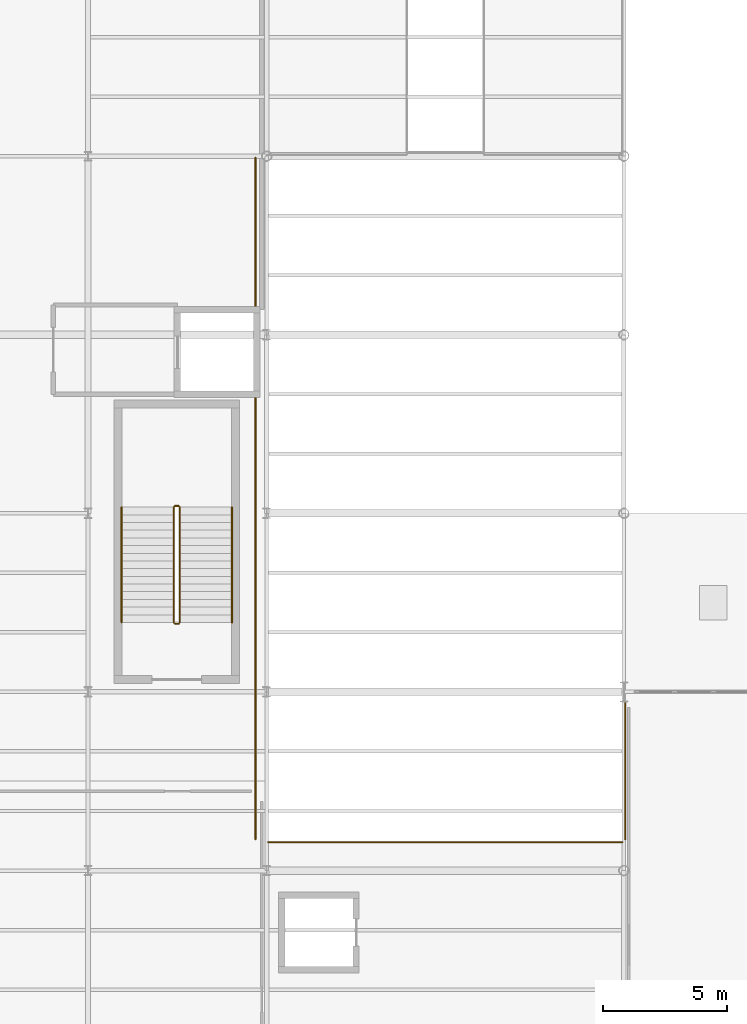
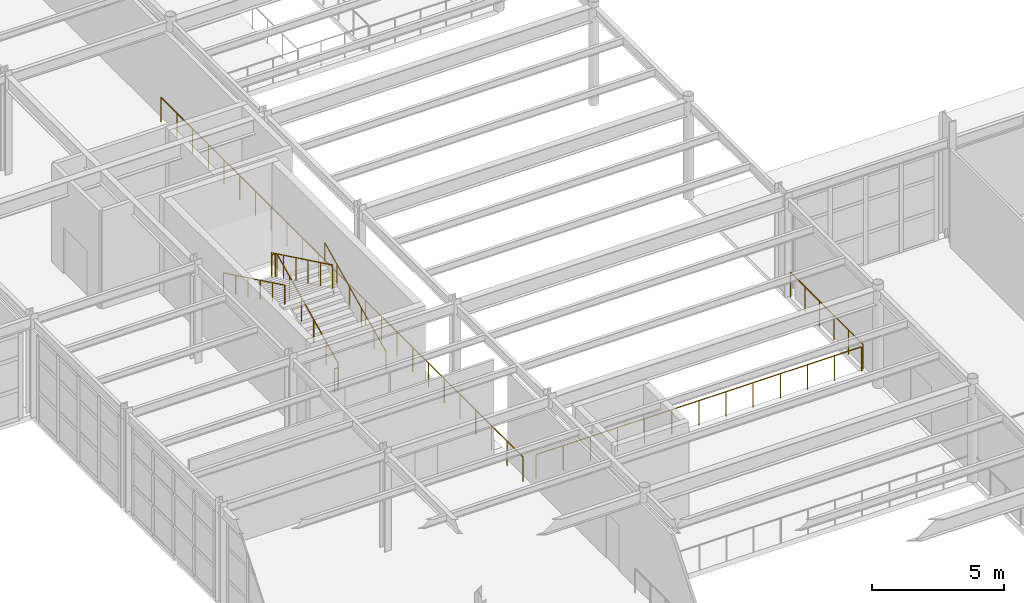
# One storey, part 121 of 126: 9 railings.
"""IFC4 building model written with IfcOpenShell, lengths in metres."""

from ifc_helpers import new_model, si_unit, direction, frame, origin, origin_2d, place, context, subcontext, project, spatial, circle, extrude, material, type_object, element, save


model = new_model("IFC4")

# Units and contexts
model_context = context("Model", 3, precision=1e-05, world=origin(), true_north=direction((0.0, 1.0)))
body_context = subcontext(model_context, "Body", "Model", "MODEL_VIEW")
ifc_project = project(units=[si_unit("LENGTHUNIT", "METRE"), si_unit("AREAUNIT", "SQUARE_METRE"), si_unit("VOLUMEUNIT", "CUBIC_METRE"), si_unit("PLANEANGLEUNIT", "RADIAN"), si_unit("MASSUNIT", "GRAM", prefix="KILO")], contexts=[model_context])

# Site, building, storey
site_placement = place(None, origin())
site = spatial("IfcSite", under=ifc_project, at=site_placement, CompositionType="ELEMENT")
building_placement = place(site_placement, origin())
building = spatial("IfcBuilding", under=site, at=building_placement, Name="Solvadek Multi-Sports Hall", CompositionType="ELEMENT")
storey_placement = place(building_placement, frame((0.0, 0.0, 9.60009765625)))
storey = spatial("IfcBuildingStorey", under=building, at=storey_placement, Name="L02", CompositionType="ELEMENT", Elevation=9.60009765625)

# Railings
ifc_material = material(Name="Steel E250 (250 MPa)", Category="steel")
railing_type_1 = type_object("IfcRailingType", Name="INT-RAL-GRD115", PredefinedType="BALUSTRADE", material=ifc_material)
railing_1_placement = place(storey_placement, frame((68.5, 44.800048828125, 0.14990234375)))
element("IfcRailing", 1, at=railing_1_placement, inside=storey, type_object=railing_type_1, Name="L02 ST-04 stair guard 1", PredefinedType="BALUSTRADE", context=body_context, shape_type="SweptSolid", body=[
    extrude(circle(Radius=0.02392578125, at=origin_2d()), frame((0.0, 0.0, 1.076171875), z_axis=(0.0, 0.900155664878, 0.435568340204), x_axis=(-1.0, 0.0, 0.0)), (0.0, 0.0, 1.0), 5.165771484375),
    extrude(circle(Radius=0.02099609375, at=origin_2d()), origin(), (0.0, 0.0, 1.0), 1.052001953125),
    extrude(circle(Radius=0.02099609375, at=origin_2d()), frame((0.0, 0.929931640625, 0.449951171875)), (0.0, 0.0, 1.0), 1.052001953125),
    extrude(circle(Radius=0.02099609375, at=origin_2d()), frame((0.0, 1.85986328125, 0.89990234375)), (0.0, 0.0, 1.0), 1.052001953125),
    extrude(circle(Radius=0.02099609375, at=origin_2d()), frame((0.0, 2.7900390625, 1.35009765625)), (0.0, 0.0, 1.0), 1.052001953125),
    extrude(circle(Radius=0.02099609375, at=origin_2d()), frame((0.0, 3.719970703125, 1.800048828125)), (0.0, 0.0, 1.0), 1.052001953125),
    extrude(circle(Radius=0.02099609375, at=origin_2d()), frame((0.0, 4.64990234375, 2.25)), (0.0, 0.0, 1.0), 1.052001953125),
])
railing_2_placement = place(storey_placement, frame((68.449951171875, 49.5, 2.39990234375)))
element("IfcRailing", 2, at=railing_2_placement, inside=storey, type_object=railing_type_1, Name="L02 ST-04 stair guard 2", PredefinedType="BALUSTRADE", context=body_context, shape_type="SweptSolid", body=[
    extrude(circle(Radius=0.02392578125, at=origin_2d()), frame((0.0, 0.0, 1.076171875), z_axis=(-1.0, 0.0, 0.0), x_axis=(0.0, -1.0, 0.0)), (0.0, 0.0, 1.0), 0.14990234375),
    extrude(circle(Radius=0.02099609375, at=origin_2d()), origin(), (0.0, 0.0, 1.0), 1.052001953125),
    extrude(circle(Radius=0.02099609375, at=origin_2d()), frame((-0.14990234375, 0.0, 0.0)), (0.0, 0.0, 1.0), 1.052001953125),
])
railing_3_placement = place(storey_placement, frame((68.25, 49.449951171875, 2.5498046875)))
element("IfcRailing", 3, at=railing_3_placement, inside=storey, type_object=railing_type_1, Name="L02 ST-04 stair guard 3", PredefinedType="BALUSTRADE", context=body_context, shape_type="SweptSolid", body=[
    extrude(circle(Radius=0.02392578125, at=origin_2d()), frame((0.0, 0.0, 1.076171875), z_axis=(0.0, -0.900155664878, 0.435568340204), x_axis=(1.0, 0.0, 0.0)), (0.0, 0.0, 1.0), 5.165771484375),
    extrude(circle(Radius=0.02099609375, at=origin_2d()), origin(), (0.0, 0.0, 1.0), 1.052001953125),
    extrude(circle(Radius=0.02099609375, at=origin_2d()), frame((0.0, -0.929931640625, 0.449951171875)), (0.0, 0.0, 1.0), 1.052001953125),
    extrude(circle(Radius=0.02099609375, at=origin_2d()), frame((0.0, -1.85986328125, 0.89990234375)), (0.0, 0.0, 1.0), 1.052001953125),
    extrude(circle(Radius=0.02099609375, at=origin_2d()), frame((0.0, -2.7900390625, 1.35009765625)), (0.0, 0.0, 1.0), 1.052001953125),
    extrude(circle(Radius=0.02099609375, at=origin_2d()), frame((0.0, -3.719970703125, 1.800048828125)), (0.0, 0.0, 1.0), 1.052001953125),
    extrude(circle(Radius=0.02099609375, at=origin_2d()), frame((0.0, -4.64990234375, 2.25)), (0.0, 0.0, 1.0), 1.052001953125),
])
railing_4_placement = place(storey_placement, frame((68.449951171875, 44.75, 0.0)))
element("IfcRailing", 4, at=railing_4_placement, inside=storey, type_object=railing_type_1, Name="L02 ST-04 stair guard 4", PredefinedType="BALUSTRADE", context=body_context, shape_type="SweptSolid", body=[
    extrude(circle(Radius=0.02392578125, at=origin_2d()), frame((0.0, 0.0, 1.076171875), z_axis=(-1.0, 0.0, 0.0), x_axis=(0.0, -1.0, 0.0)), (0.0, 0.0, 1.0), 0.14990234375),
    extrude(circle(Radius=0.02099609375, at=origin_2d()), origin(), (0.0, 0.0, 1.0), 1.052001953125),
    extrude(circle(Radius=0.02099609375, at=origin_2d()), frame((-0.14990234375, 0.0, 0.0)), (0.0, 0.0, 1.0), 1.052001953125),
])
railing_5_placement = place(storey_placement, frame((71.550048828125, 36.06005859375, 0.0)))
element("IfcRailing", 5, at=railing_5_placement, inside=storey, type_object=railing_type_1, Name="L02 Void Edge Balustrade Guard #18", PredefinedType="BALUSTRADE", context=body_context, shape_type="SweptSolid", body=[
    extrude(circle(Radius=0.02392578125, at=origin_2d()), frame((0.0, 0.0, 1.1259765625), z_axis=(0.0, 1.0, 0.0), x_axis=(-1.0, 0.0, 0.0)), (0.0, 0.0, 1.0), 27.47998046875),
    extrude(circle(Radius=0.02099609375, at=origin_2d()), origin(), (0.0, 0.0, 1.0), 1.101806640625),
    extrude(circle(Radius=0.02099609375, at=origin_2d()), frame((0.0, 1.19482421875, 0.0)), (0.0, 0.0, 1.0), 1.101806640625),
    extrude(circle(Radius=0.02099609375, at=origin_2d()), frame((0.0, 2.3896484375, 0.0)), (0.0, 0.0, 1.0), 1.101806640625),
    extrude(circle(Radius=0.02099609375, at=origin_2d()), frame((0.0, 3.584228515625, 0.0)), (0.0, 0.0, 1.0), 1.101806640625),
    extrude(circle(Radius=0.02099609375, at=origin_2d()), frame((0.0, 4.779052734375, 0.0)), (0.0, 0.0, 1.0), 1.101806640625),
    extrude(circle(Radius=0.02099609375, at=origin_2d()), frame((0.0, 5.973876953125, 0.0)), (0.0, 0.0, 1.0), 1.101806640625),
    extrude(circle(Radius=0.02099609375, at=origin_2d()), frame((0.0, 7.168701171875, 0.0)), (0.0, 0.0, 1.0), 1.101806640625),
    extrude(circle(Radius=0.02099609375, at=origin_2d()), frame((0.0, 8.363525390625, 0.0)), (0.0, 0.0, 1.0), 1.101806640625),
    extrude(circle(Radius=0.02099609375, at=origin_2d()), frame((0.0, 9.558349609375, 0.0)), (0.0, 0.0, 1.0), 1.101806640625),
    extrude(circle(Radius=0.02099609375, at=origin_2d()), frame((0.0, 10.7529296875, 0.0)), (0.0, 0.0, 1.0), 1.101806640625),
    extrude(circle(Radius=0.02099609375, at=origin_2d()), frame((0.0, 11.94775390625, 0.0)), (0.0, 0.0, 1.0), 1.101806640625),
    extrude(circle(Radius=0.02099609375, at=origin_2d()), frame((0.0, 13.142578125, 0.0)), (0.0, 0.0, 1.0), 1.101806640625),
    extrude(circle(Radius=0.02099609375, at=origin_2d()), frame((0.0, 14.33740234375, 0.0)), (0.0, 0.0, 1.0), 1.101806640625),
    extrude(circle(Radius=0.02099609375, at=origin_2d()), frame((0.0, 15.5322265625, 0.0)), (0.0, 0.0, 1.0), 1.101806640625),
    extrude(circle(Radius=0.02099609375, at=origin_2d()), frame((0.0, 16.72705078125, 0.0)), (0.0, 0.0, 1.0), 1.101806640625),
    extrude(circle(Radius=0.02099609375, at=origin_2d()), frame((0.0, 17.921630859375, 0.0)), (0.0, 0.0, 1.0), 1.101806640625),
    extrude(circle(Radius=0.02099609375, at=origin_2d()), frame((0.0, 19.116455078125, 0.0)), (0.0, 0.0, 1.0), 1.101806640625),
    extrude(circle(Radius=0.02099609375, at=origin_2d()), frame((0.0, 20.311279296875, 0.0)), (0.0, 0.0, 1.0), 1.101806640625),
    extrude(circle(Radius=0.02099609375, at=origin_2d()), frame((0.0, 21.506103515625, 0.0)), (0.0, 0.0, 1.0), 1.101806640625),
    extrude(circle(Radius=0.02099609375, at=origin_2d()), frame((0.0, 22.700927734375, 0.0)), (0.0, 0.0, 1.0), 1.101806640625),
    extrude(circle(Radius=0.02099609375, at=origin_2d()), frame((0.0, 23.895751953125, 0.0)), (0.0, 0.0, 1.0), 1.101806640625),
    extrude(circle(Radius=0.02099609375, at=origin_2d()), frame((0.0, 25.09033203125, 0.0)), (0.0, 0.0, 1.0), 1.101806640625),
    extrude(circle(Radius=0.02099609375, at=origin_2d()), frame((0.0, 26.28515625, 0.0)), (0.0, 0.0, 1.0), 1.101806640625),
    extrude(circle(Radius=0.02099609375, at=origin_2d()), frame((0.0, 27.47998046875, 0.0)), (0.0, 0.0, 1.0), 1.101806640625),
])
railing_6_placement = place(storey_placement, frame((86.4599609375, 36.06005859375, 0.0)))
element("IfcRailing", 6, at=railing_6_placement, inside=storey, type_object=railing_type_1, Name="L02 Void Edge Balustrade Guard #21", PredefinedType="BALUSTRADE", context=body_context, shape_type="SweptSolid", body=[
    extrude(circle(Radius=0.02392578125, at=origin_2d()), frame((0.0, 0.0, 1.1259765625), z_axis=(0.0, 1.0, 0.0), x_axis=(-1.0, 0.0, 0.0)), (0.0, 0.0, 1.0), 5.489990234375),
    extrude(circle(Radius=0.02099609375, at=origin_2d()), origin(), (0.0, 0.0, 1.0), 1.101806640625),
    extrude(circle(Radius=0.02099609375, at=origin_2d()), frame((0.0, 1.097900390625, 0.0)), (0.0, 0.0, 1.0), 1.101806640625),
    extrude(circle(Radius=0.02099609375, at=origin_2d()), frame((0.0, 2.196044921875, 0.0)), (0.0, 0.0, 1.0), 1.101806640625),
    extrude(circle(Radius=0.02099609375, at=origin_2d()), frame((0.0, 3.2939453125, 0.0)), (0.0, 0.0, 1.0), 1.101806640625),
    extrude(circle(Radius=0.02099609375, at=origin_2d()), frame((0.0, 4.39208984375, 0.0)), (0.0, 0.0, 1.0), 1.101806640625),
    extrude(circle(Radius=0.02099609375, at=origin_2d()), frame((0.0, 5.489990234375, 0.0)), (0.0, 0.0, 1.0), 1.101806640625),
])
railing_7_placement = place(storey_placement, frame((72.06005859375, 35.93994140625, 0.0)))
element("IfcRailing", 7, at=railing_7_placement, inside=storey, type_object=railing_type_1, Name="L02 Void Edge Balustrade Guard #59", PredefinedType="BALUSTRADE", context=body_context, shape_type="SweptSolid", body=[
    extrude(circle(Radius=0.02392578125, at=origin_2d()), frame((0.0, 0.0, 1.1259765625), z_axis=(1.0, 0.0, 0.0), x_axis=(0.0, 1.0, 0.0)), (0.0, 0.0, 1.0), 14.280029296875),
    extrude(circle(Radius=0.02099609375, at=origin_2d()), origin(), (0.0, 0.0, 1.0), 1.101806640625),
    extrude(circle(Radius=0.02099609375, at=origin_2d()), frame((1.18994140625, 0.0, 0.0)), (0.0, 0.0, 1.0), 1.101806640625),
    extrude(circle(Radius=0.02099609375, at=origin_2d()), frame((2.3798828125, 0.0, 0.0)), (0.0, 0.0, 1.0), 1.101806640625),
    extrude(circle(Radius=0.02099609375, at=origin_2d()), frame((3.570068359375, 0.0, 0.0)), (0.0, 0.0, 1.0), 1.101806640625),
    extrude(circle(Radius=0.02099609375, at=origin_2d()), frame((4.760009765625, 0.0, 0.0)), (0.0, 0.0, 1.0), 1.101806640625),
    extrude(circle(Radius=0.02099609375, at=origin_2d()), frame((5.949951171875, 0.0, 0.0)), (0.0, 0.0, 1.0), 1.101806640625),
    extrude(circle(Radius=0.02099609375, at=origin_2d()), frame((7.14013671875, 0.0, 0.0)), (0.0, 0.0, 1.0), 1.101806640625),
    extrude(circle(Radius=0.02099609375, at=origin_2d()), frame((8.330078125, 0.0, 0.0)), (0.0, 0.0, 1.0), 1.101806640625),
    extrude(circle(Radius=0.02099609375, at=origin_2d()), frame((9.52001953125, 0.0, 0.0)), (0.0, 0.0, 1.0), 1.101806640625),
    extrude(circle(Radius=0.02099609375, at=origin_2d()), frame((10.7099609375, 0.0, 0.0)), (0.0, 0.0, 1.0), 1.101806640625),
    extrude(circle(Radius=0.02099609375, at=origin_2d()), frame((11.89990234375, 0.0, 0.0)), (0.0, 0.0, 1.0), 1.101806640625),
    extrude(circle(Radius=0.02099609375, at=origin_2d()), frame((13.090087890625, 0.0, 0.0)), (0.0, 0.0, 1.0), 1.101806640625),
    extrude(circle(Radius=0.02099609375, at=origin_2d()), frame((14.280029296875, 0.0, 0.0)), (0.0, 0.0, 1.0), 1.101806640625),
])
railing_type_2 = type_object("IfcRailingType", Name="INT-RAL-HND090", PredefinedType="HANDRAIL", material=ifc_material)
railing_8_placement = place(storey_placement, frame((70.60009765625, 44.800048828125, 0.14990234375)))
element("IfcRailing", 8, at=railing_8_placement, inside=storey, type_object=railing_type_2, Name="L02 ST-04 stair handrail 1", PredefinedType="HANDRAIL", context=body_context, shape_type="SweptSolid", body=[
    extrude(circle(Radius=0.02392578125, at=origin_2d()), frame((0.0, 0.0, 0.8759765625), z_axis=(0.0, 0.900155664878, 0.435568340204), x_axis=(-1.0, 0.0, 0.0)), (0.0, 0.0, 1.0), 5.165771484375),
    extrude(circle(Radius=0.02099609375, at=origin_2d()), origin(), (0.0, 0.0, 1.0), 0.851806640625),
    extrude(circle(Radius=0.02099609375, at=origin_2d()), frame((0.0, 0.929931640625, 0.449951171875)), (0.0, 0.0, 1.0), 0.851806640625),
    extrude(circle(Radius=0.02099609375, at=origin_2d()), frame((0.0, 1.85986328125, 0.89990234375)), (0.0, 0.0, 1.0), 0.851806640625),
    extrude(circle(Radius=0.02099609375, at=origin_2d()), frame((0.0, 2.7900390625, 1.35009765625)), (0.0, 0.0, 1.0), 0.851806640625),
    extrude(circle(Radius=0.02099609375, at=origin_2d()), frame((0.0, 3.719970703125, 1.800048828125)), (0.0, 0.0, 1.0), 0.851806640625),
    extrude(circle(Radius=0.02099609375, at=origin_2d()), frame((0.0, 4.64990234375, 2.25)), (0.0, 0.0, 1.0), 0.851806640625),
])
railing_9_placement = place(storey_placement, frame((66.14990234375, 49.449951171875, 2.5498046875)))
element("IfcRailing", 9, at=railing_9_placement, inside=storey, type_object=railing_type_2, Name="L02 ST-04 stair handrail 2", PredefinedType="HANDRAIL", context=body_context, shape_type="SweptSolid", body=[
    extrude(circle(Radius=0.02392578125, at=origin_2d()), frame((0.0, 0.0, 0.8759765625), z_axis=(0.0, -0.900155664878, 0.435568340204), x_axis=(1.0, 0.0, 0.0)), (0.0, 0.0, 1.0), 5.165771484375),
    extrude(circle(Radius=0.02099609375, at=origin_2d()), origin(), (0.0, 0.0, 1.0), 0.851806640625),
    extrude(circle(Radius=0.02099609375, at=origin_2d()), frame((0.0, -0.929931640625, 0.449951171875)), (0.0, 0.0, 1.0), 0.851806640625),
    extrude(circle(Radius=0.02099609375, at=origin_2d()), frame((0.0, -1.85986328125, 0.89990234375)), (0.0, 0.0, 1.0), 0.851806640625),
    extrude(circle(Radius=0.02099609375, at=origin_2d()), frame((0.0, -2.7900390625, 1.35009765625)), (0.0, 0.0, 1.0), 0.851806640625),
    extrude(circle(Radius=0.02099609375, at=origin_2d()), frame((0.0, -3.719970703125, 1.800048828125)), (0.0, 0.0, 1.0), 0.851806640625),
    extrude(circle(Radius=0.02099609375, at=origin_2d()), frame((0.0, -4.64990234375, 2.25)), (0.0, 0.0, 1.0), 0.851806640625),
])

save(model, "model.ifc")
